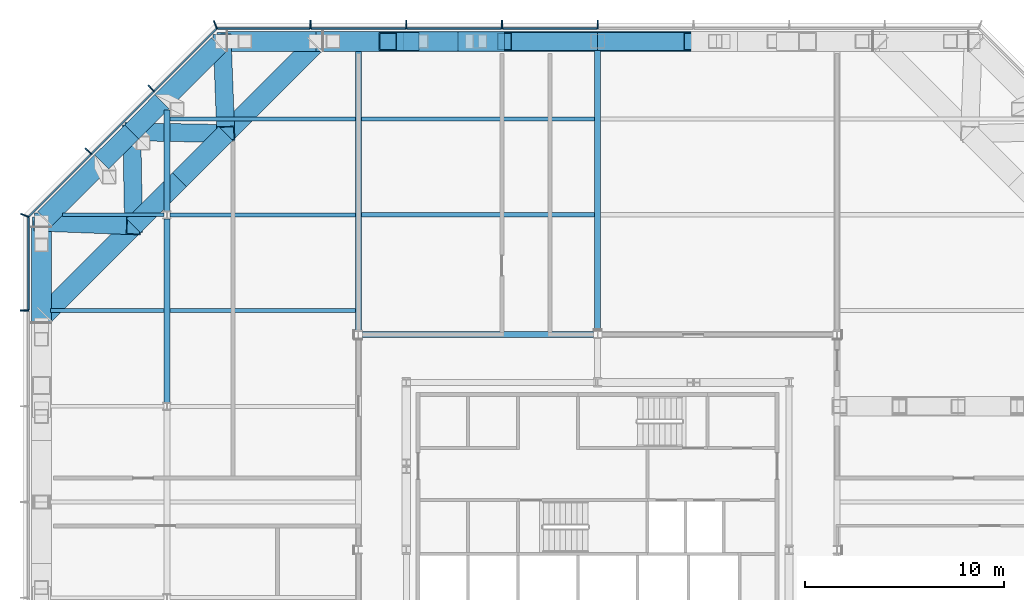
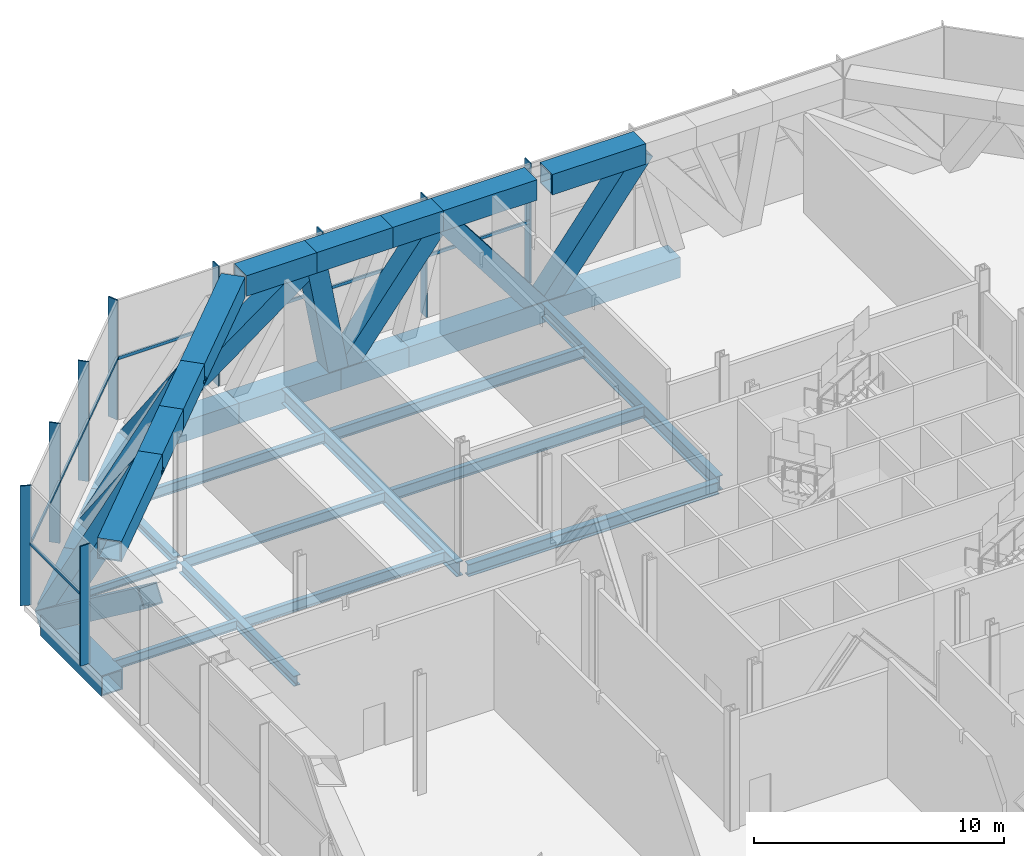
# One storey, part 7 of 17: 41 beams, 17 members, 3 elements without a shape of their own.
"""IFC4 building model written with IfcOpenShell, lengths in metres."""

from ifc_helpers import new_model, si_unit, direction, frame, origin, origin_2d, place, context, subcontext, project, spatial, rectangle, hollow_rectangle, i_section, extrude, material, material_profile, profile_set, type_object, element, aggregate, save


model = new_model("IFC4")

# Units and contexts
model_context = context("Model", 3, precision=1e-05, world=origin(), true_north=direction((0.0, 1.0)))
body_context = subcontext(model_context, "Body", "Model", "MODEL_VIEW")
ifc_project = project(units=[si_unit("LENGTHUNIT", "METRE"), si_unit("AREAUNIT", "SQUARE_METRE"), si_unit("VOLUMEUNIT", "CUBIC_METRE"), si_unit("PLANEANGLEUNIT", "RADIAN"), si_unit("MASSUNIT", "GRAM", prefix="KILO")], contexts=[model_context])

# Site, building, storey
site_placement = place(None, origin())
site = spatial("IfcSite", under=ifc_project, at=site_placement, CompositionType="ELEMENT")
building_placement = place(site_placement, origin())
building = spatial("IfcBuilding", under=site, at=building_placement, Name="Cairn Pilgrim Tower", CompositionType="ELEMENT")
storey_placement = place(building_placement, frame((0.0, 0.0, 119.39990234375)))
storey = spatial("IfcBuildingStorey", under=building, at=storey_placement, Name="L29", CompositionType="ELEMENT", Elevation=119.39990234375)

# Beams
ifc_material_1 = material(Name="Structural steel S460M", Category="steel")
ifc_material_profile_1 = material_profile(ifc_material_1, hollow_rectangle(XDim=1.0, YDim=1.0, WallThickness=0.06005859375, at=origin_2d()), Name="BOX 1000x1000x60")
ifc_profile_set_1 = profile_set([ifc_material_profile_1], Name="Structural steel S460M")
beam_type_1 = type_object("IfcBeamType", Name="BOX 1000x1000x60 CHORD", PredefinedType="USERDEFINED", material=ifc_profile_set_1)
beam_1_placement = place(storey_placement, frame((13.4755859375, 27.89990234375, -0.75), z_axis=(-1.0, 0.0, 0.0), x_axis=(0.0, -1.0, 0.0)))
element("IfcBeam", 1, at=beam_1_placement, inside=storey, type_object=beam_type_1, Name="BT29-N-BC4", ObjectType="CHORD", PredefinedType="USERDEFINED", context=body_context, shape_type="SweptSolid", body=[
    extrude(hollow_rectangle(XDim=1.0, YDim=1.0, WallThickness=0.06005859375, at=origin_2d()), origin(), (0.0, 0.0, 1.0), 6.275634765625),
])
beam_2_placement = place(storey_placement, frame((11.875732421875, 27.89990234375, 5.35009765625), z_axis=(-1.0, 0.0, 0.0), x_axis=(0.0, -1.0, 0.0)))
element("IfcBeam", 2, at=beam_2_placement, inside=storey, type_object=beam_type_1, Name="BT29-N-TC4", ObjectType="CHORD", PredefinedType="USERDEFINED", context=body_context, shape_type="SweptSolid", body=[
    extrude(hollow_rectangle(XDim=1.0, YDim=1.0, WallThickness=0.06005859375, at=origin_2d()), origin(), (0.0, 0.0, 1.0), 4.32568359375),
])
beam_3_placement = place(storey_placement, frame((7.199951171875, 27.89990234375, -0.75), z_axis=(-1.0, 0.0, 0.0), x_axis=(0.0, -1.0, 0.0)))
element("IfcBeam", 3, at=beam_3_placement, inside=storey, type_object=beam_type_1, Name="BT29-N-BC5", ObjectType="CHORD", PredefinedType="USERDEFINED", context=body_context, shape_type="SweptSolid", body=[
    extrude(hollow_rectangle(XDim=1.0, YDim=1.0, WallThickness=0.06005859375, at=origin_2d()), origin(), (0.0, 0.0, 1.0), 6.275634765625),
])
beam_4_placement = place(storey_placement, frame((6.85009765625, 27.89990234375, 5.35009765625), z_axis=(-1.0, 0.0, 0.0), x_axis=(0.0, -1.0, 0.0)))
element("IfcBeam", 4, at=beam_4_placement, inside=storey, type_object=beam_type_1, Name="BT29-N-TC5", ObjectType="CHORD", PredefinedType="USERDEFINED", context=body_context, shape_type="SweptSolid", body=[
    extrude(hollow_rectangle(XDim=1.0, YDim=1.0, WallThickness=0.06005859375, at=origin_2d()), origin(), (0.0, 0.0, 1.0), 4.32568359375),
])
beam_5_placement = place(storey_placement, frame((0.92431640625, 27.89990234375, -0.75), z_axis=(-1.0, 0.0, 0.0), x_axis=(0.0, -1.0, 0.0)))
element("IfcBeam", 5, at=beam_5_placement, inside=storey, type_object=beam_type_1, Name="BT29-N-BC6", ObjectType="CHORD", PredefinedType="USERDEFINED", context=body_context, shape_type="SweptSolid", body=[
    extrude(hollow_rectangle(XDim=1.0, YDim=1.0, WallThickness=0.06005859375, at=origin_2d()), origin(), (0.0, 0.0, 1.0), 3.137939453125),
])
beam_6_placement = place(storey_placement, frame((2.5244140625, 27.89990234375, 5.35009765625), z_axis=(-1.0, 0.0, 0.0), x_axis=(0.0, -1.0, 0.0)))
element("IfcBeam", 6, at=beam_6_placement, inside=storey, type_object=beam_type_1, Name="BT29-N-TC6", ObjectType="CHORD", PredefinedType="USERDEFINED", context=body_context, shape_type="SweptSolid", body=[
    extrude(hollow_rectangle(XDim=1.0, YDim=1.0, WallThickness=0.06005859375, at=origin_2d()), origin(), (0.0, 0.0, 1.0), 2.338134765625),
])
beam_7_placement = place(storey_placement, frame((-2.213623046875, 27.89990234375, -0.75), z_axis=(-1.0, 0.0, 0.0), x_axis=(0.0, -1.0, 0.0)))
element("IfcBeam", 7, at=beam_7_placement, inside=storey, type_object=beam_type_1, Name="BT29-N-BC7", ObjectType="CHORD", PredefinedType="USERDEFINED", context=body_context, shape_type="SweptSolid", body=[
    extrude(hollow_rectangle(XDim=1.0, YDim=1.0, WallThickness=0.06005859375, at=origin_2d()), origin(), (0.0, 0.0, 1.0), 4.706787109375),
])
beam_8_placement = place(storey_placement, frame((0.186279296875, 27.89990234375, 5.35009765625), z_axis=(-1.0, 0.0, 0.0), x_axis=(0.0, -1.0, 0.0)))
element("IfcBeam", 8, at=beam_8_placement, inside=storey, type_object=beam_type_1, Name="BT29-N-TC7", ObjectType="CHORD", PredefinedType="USERDEFINED", context=body_context, shape_type="SweptSolid", body=[
    extrude(hollow_rectangle(XDim=1.0, YDim=1.0, WallThickness=0.06005859375, at=origin_2d()), origin(), (0.0, 0.0, 1.0), 3.506591796875),
])
beam_9_placement = place(storey_placement, frame((-6.92041015625, 27.89990234375, -0.75), z_axis=(-1.0, 0.0, 0.0), x_axis=(0.0, -1.0, 0.0)))
element("IfcBeam", 9, at=beam_9_placement, inside=storey, type_object=beam_type_1, Name="BT29-N-BC8", ObjectType="CHORD", PredefinedType="USERDEFINED", context=body_context, shape_type="SweptSolid", body=[
    extrude(hollow_rectangle(XDim=1.0, YDim=1.0, WallThickness=0.06005859375, at=origin_2d()), origin(), (0.0, 0.0, 1.0), 4.44970703125),
])
beam_10_placement = place(storey_placement, frame((-3.3203125, 27.89990234375, 5.35009765625), z_axis=(-1.0, 0.0, 0.0), x_axis=(0.0, -1.0, 0.0)))
element("IfcBeam", 10, at=beam_10_placement, inside=storey, type_object=beam_type_1, Name="BT29-N-TC8", ObjectType="CHORD", PredefinedType="USERDEFINED", context=body_context, shape_type="SweptSolid", body=[
    extrude(hollow_rectangle(XDim=1.0, YDim=1.0, WallThickness=0.06005859375, at=origin_2d()), origin(), (0.0, 0.0, 1.0), 3.249755859375),
])
beam_11_placement = place(storey_placement, frame((-11.80908203125, 27.71826171875, -0.75), z_axis=(-0.707106781187, -0.707106781187, 0.0), x_axis=(0.707106781187, -0.707106781187, 0.0)))
element("IfcBeam", 11, at=beam_11_placement, inside=storey, type_object=beam_type_1, Name="BT29-NW-BC1", ObjectType="CHORD", PredefinedType="USERDEFINED", context=body_context, shape_type="SweptSolid", body=[
    extrude(hollow_rectangle(XDim=1.0, YDim=1.0, WallThickness=0.06005859375, at=origin_2d()), origin(), (0.0, 0.0, 1.0), 4.02001953125),
])
beam_12_placement = place(storey_placement, frame((-7.009033203125, 27.71826171875, 5.35009765625), z_axis=(-0.707087351173, -0.707126210667, 0.0), x_axis=(0.707126210667, -0.707087351173, 0.0)))
element("IfcBeam", 12, at=beam_12_placement, inside=storey, type_object=beam_type_1, Name="BT29-NW-TC1", ObjectType="CHORD", PredefinedType="USERDEFINED", context=body_context, shape_type="SweptSolid", body=[
    extrude(hollow_rectangle(XDim=1.0, YDim=1.0, WallThickness=0.06005859375, at=origin_2d()), origin(), (0.0, 0.0, 1.0), 6.28271484375),
])
beam_13_placement = place(storey_placement, frame((-14.651611328125, 24.875732421875, -0.75), z_axis=(-0.707049694295, -0.707163863469, 0.0), x_axis=(0.707163863469, -0.707049694295, 0.0)))
element("IfcBeam", 13, at=beam_13_placement, inside=storey, type_object=beam_type_1, Name="BT29-NW-BC2", ObjectType="CHORD", PredefinedType="USERDEFINED", context=body_context, shape_type="SweptSolid", body=[
    extrude(hollow_rectangle(XDim=1.0, YDim=1.0, WallThickness=0.06005859375, at=origin_2d()), origin(), (0.0, 0.0, 1.0), 2.138427734375),
])
beam_14_placement = place(storey_placement, frame((-11.451416015625, 23.275634765625, 5.35009765625), z_axis=(-0.707144112273, -0.707069448129, 0.0), x_axis=(0.707069448129, -0.707144112273, 0.0)))
element("IfcBeam", 14, at=beam_14_placement, inside=storey, type_object=beam_type_1, Name="BT29-NW-TC2", ObjectType="CHORD", PredefinedType="USERDEFINED", context=body_context, shape_type="SweptSolid", body=[
    extrude(hollow_rectangle(XDim=1.0, YDim=1.0, WallThickness=0.06005859375, at=origin_2d()), origin(), (0.0, 0.0, 1.0), 3.269775390625),
])
beam_15_placement = place(storey_placement, frame((-16.16357421875, 23.363525390625, -0.75), z_axis=(-0.707163863469, -0.707049694295, 0.0), x_axis=(0.707049694295, -0.707163863469, 0.0)))
element("IfcBeam", 15, at=beam_15_placement, inside=storey, type_object=beam_type_1, Name="BT29-NW-BC3", ObjectType="CHORD", PredefinedType="USERDEFINED", context=body_context, shape_type="SweptSolid", body=[
    extrude(hollow_rectangle(XDim=1.0, YDim=1.0, WallThickness=0.06005859375, at=origin_2d()), origin(), (0.0, 0.0, 1.0), 2.138427734375),
])
beam_16_placement = place(storey_placement, frame((-13.763671875, 20.963623046875, 5.35009765625), z_axis=(-0.707106781187, -0.707106781187, 0.0), x_axis=(0.707106781187, -0.707106781187, 0.0)))
element("IfcBeam", 16, at=beam_16_placement, inside=storey, type_object=beam_type_1, Name="BT29-NW-TC3", ObjectType="CHORD", PredefinedType="USERDEFINED", context=body_context, shape_type="SweptSolid", body=[
    extrude(hollow_rectangle(XDim=1.0, YDim=1.0, WallThickness=0.06005859375, at=origin_2d()), origin(), (0.0, 0.0, 1.0), 3.269775390625),
])
beam_17_placement = place(storey_placement, frame((-17.67578125, 21.8515625, -0.75), z_axis=(-0.707106781187, -0.707106781187, 0.0), x_axis=(0.707106781187, -0.707106781187, 0.0)))
element("IfcBeam", 17, at=beam_17_placement, inside=storey, type_object=beam_type_1, Name="BT29-NW-BC4", ObjectType="CHORD", PredefinedType="USERDEFINED", context=body_context, shape_type="SweptSolid", body=[
    extrude(hollow_rectangle(XDim=1.0, YDim=1.0, WallThickness=0.06005859375, at=origin_2d()), origin(), (0.0, 0.0, 1.0), 4.02001953125),
])
beam_18_placement = place(storey_placement, frame((-16.07568359375, 18.651611328125, 5.35009765625), z_axis=(-0.707106781187, -0.707106781187, 0.0), x_axis=(0.707106781187, -0.707106781187, 0.0)))
element("IfcBeam", 18, at=beam_18_placement, inside=storey, type_object=beam_type_1, Name="BT29-NW-TC4", ObjectType="CHORD", PredefinedType="USERDEFINED", context=body_context, shape_type="SweptSolid", body=[
    extrude(hollow_rectangle(XDim=1.0, YDim=1.0, WallThickness=0.06005859375, at=origin_2d()), origin(), (0.0, 0.0, 1.0), 6.28271484375),
])
beam_19_placement = place(storey_placement, frame((-20.699951171875, 18.570068359375, -0.75), z_axis=(0.0, -1.0, 0.0), x_axis=(1.0, 0.0, 0.0)))
element("IfcBeam", 19, at=beam_19_placement, inside=storey, type_object=beam_type_1, Name="BT29-W-BC1", ObjectType="CHORD", PredefinedType="USERDEFINED", context=body_context, shape_type="SweptSolid", body=[
    extrude(hollow_rectangle(XDim=1.0, YDim=1.0, WallThickness=0.06005859375, at=origin_2d()), origin(), (0.0, 0.0, 1.0), 4.88623046875),
])
ifc_material_profile_2 = material_profile(ifc_material_1, hollow_rectangle(XDim=0.89990234375, YDim=0.89990234375, WallThickness=0.050048828125, at=origin_2d()), Name="BOX 900x900x50")
ifc_profile_set_2 = profile_set([ifc_material_profile_2], Name="Structural steel S460M")
beam_type_2 = type_object("IfcBeamType", Name="BOX 900x900x50 DIAGONAL", PredefinedType="USERDEFINED", material=ifc_profile_set_2)
beam_20_placement = place(storey_placement, frame((11.875732421875, 27.89990234375, 5.35009765625), z_axis=(-0.608352851952, 0.0, -0.793666685405), x_axis=(0.0, -1.0, 0.0)))
element("IfcBeam", 20, at=beam_20_placement, inside=storey, type_object=beam_type_2, Name="BT29-N-D4", ObjectType="DIAGONAL", PredefinedType="USERDEFINED", context=body_context, shape_type="SweptSolid", body=[
    extrude(hollow_rectangle(XDim=0.89990234375, YDim=0.89990234375, WallThickness=0.050048828125, at=origin_2d()), origin(), (0.0, 0.0, 1.0), 7.68603515625),
])
beam_21_placement = place(storey_placement, frame((7.199951171875, 27.89990234375, -0.75), z_axis=(-0.608332842725, 0.0, 0.793682022262), x_axis=(0.0, -1.0, 0.0)))
element("IfcBeam", 21, at=beam_21_placement, inside=storey, type_object=beam_type_2, Name="BT29-N-D5", ObjectType="DIAGONAL", PredefinedType="USERDEFINED", context=body_context, shape_type="SweptSolid", body=[
    extrude(hollow_rectangle(XDim=0.89990234375, YDim=0.89990234375, WallThickness=0.050048828125, at=origin_2d()), origin(), (0.0, 0.0, 1.0), 7.685791015625),
])
beam_22_placement = place(storey_placement, frame((2.5244140625, 27.89990234375, 5.35009765625), z_axis=(-0.61341748705, 0.0, -0.78975881545), x_axis=(0.0, -1.0, 0.0)))
element("IfcBeam", 22, at=beam_22_placement, inside=storey, type_object=beam_type_2, Name="BT29-N-D6", ObjectType="DIAGONAL", PredefinedType="USERDEFINED", context=body_context, shape_type="SweptSolid", body=[
    extrude(hollow_rectangle(XDim=0.89990234375, YDim=0.89990234375, WallThickness=0.050048828125, at=origin_2d()), origin(), (0.0, 0.0, 1.0), 7.72412109375),
])
beam_23_placement = place(storey_placement, frame((-2.213623046875, 27.89990234375, -0.75), z_axis=(-0.178507695959, 0.0, 0.983938515601), x_axis=(0.0, -1.0, 0.0)))
element("IfcBeam", 23, at=beam_23_placement, inside=storey, type_object=beam_type_2, Name="BT29-N-D7", ObjectType="DIAGONAL", PredefinedType="USERDEFINED", context=body_context, shape_type="SweptSolid", body=[
    extrude(hollow_rectangle(XDim=0.89990234375, YDim=0.89990234375, WallThickness=0.050048828125, at=origin_2d()), origin(), (0.0, 0.0, 1.0), 6.19970703125),
])
beam_24_placement = place(storey_placement, frame((-3.3203125, 27.89990234375, 5.35009765625), z_axis=(-0.806016966993, 0.0, -0.591892430192), x_axis=(0.0, -1.0, 0.0)))
element("IfcBeam", 24, at=beam_24_placement, inside=storey, type_object=beam_type_2, Name="BT29-N-D8", ObjectType="DIAGONAL", PredefinedType="USERDEFINED", context=body_context, shape_type="SweptSolid", body=[
    extrude(hollow_rectangle(XDim=0.89990234375, YDim=0.89990234375, WallThickness=0.050048828125, at=origin_2d()), origin(), (0.0, 0.0, 1.0), 10.30615234375),
])
beam_25_placement = place(storey_placement, frame((-11.627197265625, 27.89990234375, -0.75), z_axis=(0.022957660796, -0.603945907123, 0.796694600886), x_axis=(0.999278296447, 0.037985342561, 0.0)))
element("IfcBeam", 25, at=beam_25_placement, inside=storey, type_object=beam_type_2, Name="BT29-NW-D1", ObjectType="DIAGONAL", PredefinedType="USERDEFINED", context=body_context, shape_type="SweptSolid", body=[
    extrude(hollow_rectangle(XDim=0.89990234375, YDim=0.89990234375, WallThickness=0.050048828125, at=origin_2d()), origin(), (0.0, 0.0, 1.0), 7.65673828125),
])
beam_26_placement = place(storey_placement, frame((-11.451416015625, 23.275634765625, 5.35009765625), z_axis=(-0.611281557072, 0.011401552279, -0.791331070152), x_axis=(-0.018648639741, -0.999826098997, 0.0)))
element("IfcBeam", 26, at=beam_26_placement, inside=storey, type_object=beam_type_2, Name="BT29-NW-D2", ObjectType="DIAGONAL", PredefinedType="USERDEFINED", context=body_context, shape_type="SweptSolid", body=[
    extrude(hollow_rectangle(XDim=0.89990234375, YDim=0.89990234375, WallThickness=0.050048828125, at=origin_2d()), origin(), (0.0, 0.0, 1.0), 7.708740234375),
])
beam_27_placement = place(storey_placement, frame((-16.16357421875, 23.363525390625, -0.75), z_axis=(0.011401773013, -0.611261719859, 0.791346390279), x_axis=(0.999826080981, 0.018649605656, 0.0)))
element("IfcBeam", 27, at=beam_27_placement, inside=storey, type_object=beam_type_2, Name="BT29-NW-D3", ObjectType="DIAGONAL", PredefinedType="USERDEFINED", context=body_context, shape_type="SweptSolid", body=[
    extrude(hollow_rectangle(XDim=0.89990234375, YDim=0.89990234375, WallThickness=0.050048828125, at=origin_2d()), origin(), (0.0, 0.0, 1.0), 7.70849609375),
])
beam_28_placement = place(storey_placement, frame((-16.07568359375, 18.651611328125, 5.35009765625), z_axis=(-0.603946348917, 0.022925791926, -0.796695183677), x_axis=(-0.037932661105, -0.999280297625, 0.0)))
element("IfcBeam", 28, at=beam_28_placement, inside=storey, type_object=beam_type_2, Name="BT29-NW-D4", ObjectType="DIAGONAL", PredefinedType="USERDEFINED", context=body_context, shape_type="SweptSolid", body=[
    extrude(hollow_rectangle(XDim=0.89990234375, YDim=0.89990234375, WallThickness=0.050048828125, at=origin_2d()), origin(), (0.0, 0.0, 1.0), 7.65673828125),
])
beam_29_placement = place(storey_placement, frame((-20.699951171875, 18.8271484375, -0.75), z_axis=(0.0, -0.801756074921, 0.597651400339), x_axis=(1.0, 0.0, 0.0)))
element("IfcBeam", 29, at=beam_29_placement, inside=storey, type_object=beam_type_2, Name="BT29-W-D1", ObjectType="DIAGONAL", PredefinedType="USERDEFINED", context=body_context, shape_type="SweptSolid", body=[
    extrude(hollow_rectangle(XDim=0.89990234375, YDim=0.89990234375, WallThickness=0.050048828125, at=origin_2d()), origin(), (0.0, 0.0, 1.0), 10.206787109375),
])

# Curtain wall, members
ifc_material_2 = material(Name="Aluminium alloy 6063-T6 bronze anodised with Bronze tinted laminated low-E glass 8+16+8.8", Category="aluminium")
curtain_wall_type = type_object("IfcCurtainWallType", Name="PLANT LOUVRE CURTAIN WALL", PredefinedType="NOTDEFINED", material=ifc_material_2)
curtain_wall_1_placement = place(storey_placement, origin())
curtain_wall_1 = element("IfcCurtainWall", 30, at=curtain_wall_1_placement, inside=storey, type_object=curtain_wall_type, Name="Plant Louvre Curtain Wall N", PredefinedType="NOTDEFINED")
ifc_material_3 = material(Name="Aluminium alloy 6063-T6 bronze anodised", Category="aluminium")
ifc_material_profile_3 = material_profile(ifc_material_3, rectangle(XDim=0.449951171875, YDim=0.06005859375, at=origin_2d()), Name="FIN MULLION 60x450 BRONZE")
ifc_profile_set_3 = profile_set([ifc_material_profile_3], Name="Aluminium alloy 6063-T6 bronze anodised")
member_type_1 = type_object("IfcMemberType", Name="FIN MULLION 60x450 BRONZE", PredefinedType="MULLION", material=ifc_profile_set_3)
member_1_placement = place(storey_placement, frame((7.199951171875, 28.7451171875, 0.0), z_axis=(0.0, 0.0, 1.0), x_axis=(0.0, 1.0, 0.0)))
member_1 = element("IfcMember", 31, at=member_1_placement, type_object=member_type_1, Name="Fin mullion N5", PredefinedType="MULLION", context=body_context, shape_type="SweptSolid", body=[
    extrude(rectangle(XDim=0.449951171875, YDim=0.06005859375, at=origin_2d()), origin(), (0.0, 0.0, 1.0), 5.85009765625),
])
member_2_placement = place(storey_placement, frame((2.39990234375, 28.7451171875, 0.0), z_axis=(0.0, 0.0, 1.0), x_axis=(0.0, 1.0, 0.0)))
member_2 = element("IfcMember", 32, at=member_2_placement, type_object=member_type_1, Name="Fin mullion N6", PredefinedType="MULLION", context=body_context, shape_type="SweptSolid", body=[
    extrude(rectangle(XDim=0.449951171875, YDim=0.06005859375, at=origin_2d()), origin(), (0.0, 0.0, 1.0), 5.85009765625),
])
member_3_placement = place(storey_placement, frame((-2.39990234375, 28.7451171875, 0.0), z_axis=(0.0, 0.0, 1.0), x_axis=(0.0, 1.0, 0.0)))
member_3 = element("IfcMember", 33, at=member_3_placement, type_object=member_type_1, Name="Fin mullion N7", PredefinedType="MULLION", context=body_context, shape_type="SweptSolid", body=[
    extrude(rectangle(XDim=0.449951171875, YDim=0.06005859375, at=origin_2d()), origin(), (0.0, 0.0, 1.0), 5.85009765625),
])
member_4_placement = place(storey_placement, frame((-7.199951171875, 28.7451171875, 0.0), z_axis=(0.0, 0.0, 1.0), x_axis=(0.0, 1.0, 0.0)))
member_4 = element("IfcMember", 34, at=member_4_placement, type_object=member_type_1, Name="Fin mullion N8", PredefinedType="MULLION", context=body_context, shape_type="SweptSolid", body=[
    extrude(rectangle(XDim=0.449951171875, YDim=0.06005859375, at=origin_2d()), origin(), (0.0, 0.0, 1.0), 5.85009765625),
])

curtain_wall_2_placement = place(storey_placement, origin())
curtain_wall_2 = element("IfcCurtainWall", 35, at=curtain_wall_2_placement, inside=storey, type_object=curtain_wall_type, Name="Plant Louvre Curtain Wall NW", PredefinedType="NOTDEFINED")
member_5_placement = place(storey_placement, frame((-11.97119140625, 28.730224609375, 0.0), z_axis=(0.0, 0.0, 1.0), x_axis=(-0.382683432365, 0.923879532511, 0.0)))
member_5 = element("IfcMember", 36, at=member_5_placement, type_object=member_type_1, Name="Fin mullion NW1", PredefinedType="MULLION", context=body_context, shape_type="SweptSolid", body=[
    extrude(rectangle(XDim=0.449951171875, YDim=0.06005859375, at=origin_2d()), origin(), (0.0, 0.0, 1.0), 5.85009765625),
])
member_6_placement = place(storey_placement, frame((-15.185546875, 25.53662109375, 0.0), z_axis=(0.0, 0.0, 1.0), x_axis=(-0.707106781187, 0.707106781187, 0.0)))
member_6 = element("IfcMember", 37, at=member_6_placement, type_object=member_type_1, Name="Fin mullion NW2", PredefinedType="MULLION", context=body_context, shape_type="SweptSolid", body=[
    extrude(rectangle(XDim=0.449951171875, YDim=0.06005859375, at=origin_2d()), origin(), (0.0, 0.0, 1.0), 5.85009765625),
])
member_7_placement = place(storey_placement, frame((-18.336669921875, 22.385498046875, 0.0), z_axis=(0.0, 0.0, 1.0), x_axis=(-0.707106781187, 0.707106781187, 0.0)))
member_7 = element("IfcMember", 38, at=member_7_placement, type_object=member_type_1, Name="Fin mullion NW3", PredefinedType="MULLION", context=body_context, shape_type="SweptSolid", body=[
    extrude(rectangle(XDim=0.449951171875, YDim=0.06005859375, at=origin_2d()), origin(), (0.0, 0.0, 1.0), 5.85009765625),
])

curtain_wall_3_placement = place(storey_placement, origin())
curtain_wall_3 = element("IfcCurtainWall", 39, at=curtain_wall_3_placement, inside=storey, type_object=curtain_wall_type, Name="Plant Louvre Curtain Wall W", PredefinedType="NOTDEFINED")
member_8_placement = place(storey_placement, frame((-21.5302734375, 19.171142578125, 0.0), z_axis=(0.0, 0.0, 1.0), x_axis=(-0.923879532511, 0.382683432365, 0.0)))
member_8 = element("IfcMember", 40, at=member_8_placement, type_object=member_type_1, Name="Fin mullion W1", PredefinedType="MULLION", context=body_context, shape_type="SweptSolid", body=[
    extrude(rectangle(XDim=0.449951171875, YDim=0.06005859375, at=origin_2d()), origin(), (0.0, 0.0, 1.0), 5.85009765625),
])
member_9_placement = place(storey_placement, frame((-21.544921875, 14.39990234375, 0.0), z_axis=(0.0, 0.0, 1.0), x_axis=(-1.0, 0.0, 0.0)))
member_9 = element("IfcMember", 41, at=member_9_placement, type_object=member_type_1, Name="Fin mullion W2", PredefinedType="MULLION", context=body_context, shape_type="SweptSolid", body=[
    extrude(rectangle(XDim=0.449951171875, YDim=0.06005859375, at=origin_2d()), origin(), (0.0, 0.0, 1.0), 5.85009765625),
])

# Beams
ifc_material_4 = material(Name="Structural steel S355J2", Category="steel")
ifc_material_profile_4 = material_profile(ifc_material_4, i_section(OverallWidth=0.300048828125, OverallDepth=0.39990234375, WebThickness=0.013427734375, FlangeThickness=0.02392578125, FilletRadius=0.027099609375, at=origin_2d()), Name="HEB 400")
ifc_profile_set_4 = profile_set([ifc_material_profile_4], Name="Structural steel S355J2")
beam_type_3 = type_object("IfcBeamType", Name="HEB 400 GIRDER", PredefinedType="BEAM", material=ifc_profile_set_4)
beam_30_placement = place(storey_placement, frame((-14.39990234375, 19.3994140625, -0.449951171875), z_axis=(0.0, 1.0, 0.0), x_axis=(-1.0, 0.0, 0.0)))
element("IfcBeam", 42, at=beam_30_placement, inside=storey, type_object=beam_type_3, Name="PG1-5", PredefinedType="BEAM", context=body_context, shape_type="SweptSolid", body=[
    extrude(i_section(OverallWidth=0.300048828125, OverallDepth=0.39990234375, WebThickness=0.013427734375, FlangeThickness=0.02392578125, FilletRadius=0.027099609375, at=origin_2d()), origin(), (0.0, 0.0, 1.0), 5.05078125),
])
ifc_material_profile_5 = material_profile(ifc_material_4, i_section(OverallWidth=0.300048828125, OverallDepth=0.5, WebThickness=0.014404296875, FlangeThickness=0.028076171875, FilletRadius=0.027099609375, at=origin_2d()), Name="HEB 500")
ifc_profile_set_5 = profile_set([ifc_material_profile_5], Name="Structural steel S355J2")
beam_type_4 = type_object("IfcBeamType", Name="HEB 500 GIRDER", PredefinedType="BEAM", material=ifc_profile_set_5)
beam_31_placement = place(storey_placement, frame((-14.39990234375, 9.799560546875, -0.5), z_axis=(0.0, 1.0, 0.0), x_axis=(-1.0, 0.0, 0.0)))
element("IfcBeam", 43, at=beam_31_placement, inside=storey, type_object=beam_type_4, Name="PG1-4", PredefinedType="BEAM", context=body_context, shape_type="SweptSolid", body=[
    extrude(i_section(OverallWidth=0.300048828125, OverallDepth=0.5, WebThickness=0.014404296875, FlangeThickness=0.028076171875, FilletRadius=0.027099609375, at=origin_2d()), origin(), (0.0, 0.0, 1.0), 9.200927734375),
])
ifc_material_profile_6 = material_profile(ifc_material_4, i_section(OverallWidth=0.300048828125, OverallDepth=0.60009765625, WebThickness=0.015380859375, FlangeThickness=0.030029296875, FilletRadius=0.027099609375, at=origin_2d()), Name="HEB 600")
ifc_profile_set_6 = profile_set([ifc_material_profile_6], Name="Structural steel S355J2")
beam_type_5 = type_object("IfcBeamType", Name="HEB 600 INNER GIRDER", PredefinedType="BEAM", material=ifc_profile_set_6)
beam_32_placement = place(storey_placement, frame((-4.595458984375, 13.199951171875, -0.5498046875), z_axis=(1.0, 0.0, 0.0), x_axis=(0.0, 1.0, 0.0)))
element("IfcBeam", 44, at=beam_32_placement, inside=storey, type_object=beam_type_5, Name="IG2-1", PredefinedType="BEAM", context=body_context, shape_type="SweptSolid", body=[
    extrude(i_section(OverallWidth=0.300048828125, OverallDepth=0.60009765625, WebThickness=0.015380859375, FlangeThickness=0.030029296875, FilletRadius=0.027099609375, at=origin_2d()), origin(), (0.0, 0.0, 1.0), 11.591064453125),
])
ifc_material_profile_7 = material_profile(ifc_material_4, i_section(OverallWidth=0.300048828125, OverallDepth=0.699951171875, WebThickness=0.01708984375, FlangeThickness=0.031982421875, FilletRadius=0.027099609375, at=origin_2d()), Name="HEB 700")
ifc_profile_set_7 = profile_set([ifc_material_profile_7], Name="Structural steel S355J2")
beam_type_6 = type_object("IfcBeamType", Name="HEB 700 GIRDER", PredefinedType="BEAM", material=ifc_profile_set_7)
for number, where, z_axis, x_axis, name in (
    (45, (-4.800048828125, 13.404541015625, -0.599853515625), (0.0, 1.0, 0.0), (-1.0, 0.0, 0.0), "PG2-4"),
    (46, (7.199951171875, 13.404541015625, -0.599853515625), (0.0, 1.0, 0.0), (-1.0, 0.0, 0.0), "PG3-2"),
):
    element("IfcBeam", number, at=place(storey_placement, frame(where, z_axis=z_axis, x_axis=x_axis)), inside=storey, type_object=beam_type_6, Name=name, PredefinedType="BEAM", context=body_context, shape_type="SweptSolid", body=[
        extrude(i_section(OverallWidth=0.300048828125, OverallDepth=0.699951171875, WebThickness=0.01708984375, FlangeThickness=0.031982421875, FilletRadius=0.027099609375, at=origin_2d()), origin(), (0.0, 0.0, 1.0), 14.025390625),
    ])
ifc_material_profile_8 = material_profile(ifc_material_4, i_section(OverallWidth=0.169921875, OverallDepth=0.360107421875, WebThickness=0.008056640625, FlangeThickness=0.0126953125, FilletRadius=0.01806640625, at=origin_2d()), Name="IPE 360")
ifc_profile_set_8 = profile_set([ifc_material_profile_8], Name="Structural steel S355J2")
beam_type_7 = type_object("IfcBeamType", Name="IPE 360 SECONDARY BEAM", PredefinedType="JOIST", material=ifc_profile_set_8)
beam_33_placement = place(storey_placement, frame((-19.650146484375, 19.199951171875, -0.429931640625), z_axis=(1.0, 0.0, 0.0), x_axis=(0.0, 1.0, 0.0)))
element("IfcBeam", 47, at=beam_33_placement, inside=storey, type_object=beam_type_7, Name="SB8-1", PredefinedType="JOIST", context=body_context, shape_type="SweptSolid", body=[
    extrude(i_section(OverallWidth=0.169921875, OverallDepth=0.360107421875, WebThickness=0.008056640625, FlangeThickness=0.0126953125, FilletRadius=0.01806640625, at=origin_2d()), origin(), (0.0, 0.0, 1.0), 5.10009765625),
])
ifc_material_profile_9 = material_profile(ifc_material_4, i_section(OverallWidth=0.18994140625, OverallDepth=0.449951171875, WebThickness=0.009521484375, FlangeThickness=0.0146484375, FilletRadius=0.02099609375, at=origin_2d()), Name="IPE 450")
ifc_profile_set_9 = profile_set([ifc_material_profile_9], Name="Structural steel S355J2")
beam_type_8 = type_object("IfcBeamType", Name="IPE 450 SECONDARY BEAM", PredefinedType="JOIST", material=ifc_profile_set_9)
beam_34_placement = place(storey_placement, frame((-20.22998046875, 14.39990234375, -0.474853515625), z_axis=(1.0, 0.0, 0.0), x_axis=(0.0, 1.0, 0.0)))
element("IfcBeam", 48, at=beam_34_placement, inside=storey, type_object=beam_type_8, Name="SB7-1", PredefinedType="JOIST", context=body_context, shape_type="SweptSolid", body=[
    extrude(i_section(OverallWidth=0.18994140625, OverallDepth=0.449951171875, WebThickness=0.009521484375, FlangeThickness=0.0146484375, FilletRadius=0.02099609375, at=origin_2d()), origin(), (0.0, 0.0, 1.0), 5.679931640625),
])
ifc_material_profile_10 = material_profile(ifc_material_4, i_section(OverallWidth=0.199951171875, OverallDepth=0.5, WebThickness=0.01025390625, FlangeThickness=0.01611328125, FilletRadius=0.02099609375, at=origin_2d()), Name="IPE 500")
ifc_profile_set_10 = profile_set([ifc_material_profile_10], Name="Structural steel S355J2")
beam_type_9 = type_object("IfcBeamType", Name="IPE 500 SECONDARY BEAM", PredefinedType="JOIST", material=ifc_profile_set_10)
for number, where, z_axis, x_axis, name in (
    (49, (-14.25, 14.39990234375, -0.5), (1.0, 0.0, 0.0), (0.0, 1.0, 0.0), "SB7-2"),
    (50, (-14.25, 19.199951171875, -0.5), (1.0, 0.0, 0.0), (0.0, 1.0, 0.0), "SB8-2"),
    (51, (-14.25, 24.0, -0.5), (1.0, 0.0, 0.0), (0.0, 1.0, 0.0), "SB9-1"),
):
    element("IfcBeam", number, at=place(storey_placement, frame(where, z_axis=z_axis, x_axis=x_axis)), inside=storey, type_object=beam_type_9, Name=name, PredefinedType="JOIST", context=body_context, shape_type="SweptSolid", body=[
        extrude(i_section(OverallWidth=0.199951171875, OverallDepth=0.5, WebThickness=0.01025390625, FlangeThickness=0.01611328125, FilletRadius=0.02099609375, at=origin_2d()), origin(), (0.0, 0.0, 1.0), 9.300048828125),
    ])
ifc_material_profile_11 = material_profile(ifc_material_4, i_section(OverallWidth=0.2099609375, OverallDepth=0.550048828125, WebThickness=0.010986328125, FlangeThickness=0.01708984375, FilletRadius=0.02392578125, at=origin_2d()), Name="IPE 550")
ifc_profile_set_11 = profile_set([ifc_material_profile_11], Name="Structural steel S355J2")
beam_type_10 = type_object("IfcBeamType", Name="IPE 550 SECONDARY BEAM", PredefinedType="JOIST", material=ifc_profile_set_11)
for number, where, z_axis, x_axis, name in (
    (52, (-4.64990234375, 19.199951171875, -0.52490234375), (1.0, 0.0, 0.0), (0.0, 1.0, 0.0), "SB8-3"),
    (53, (-4.64990234375, 24.0, -0.52490234375), (1.0, 0.0, 0.0), (0.0, 1.0, 0.0), "SB9-2"),
):
    element("IfcBeam", number, at=place(storey_placement, frame(where, z_axis=z_axis, x_axis=x_axis)), inside=storey, type_object=beam_type_10, Name=name, PredefinedType="JOIST", context=body_context, shape_type="SweptSolid", body=[
        extrude(i_section(OverallWidth=0.2099609375, OverallDepth=0.550048828125, WebThickness=0.010986328125, FlangeThickness=0.01708984375, FilletRadius=0.02392578125, at=origin_2d()), origin(), (0.0, 0.0, 1.0), 11.699951171875),
    ])

# Member
ifc_material_profile_12 = material_profile(ifc_material_3, rectangle(XDim=0.080078125, YDim=0.14990234375, at=origin_2d()), Name="TRANSOM 80x150 BRONZE")
ifc_profile_set_12 = profile_set([ifc_material_profile_12], Name="Aluminium alloy 6063-T6 bronze anodised")
member_type_2 = type_object("IfcMemberType", Name="TRANSOM 80x150 BRONZE", PredefinedType="USERDEFINED", material=ifc_profile_set_12)
member_10_placement = place(storey_placement, frame((7.169921875, 28.550048828125, 3.0), z_axis=(-1.0, 0.0, 0.0), x_axis=(0.0, -1.0, 0.0)))
member_10 = element("IfcMember", 54, at=member_10_placement, type_object=member_type_2, Name="Transom N5", ObjectType="TRANSOM", PredefinedType="USERDEFINED", context=body_context, shape_type="SweptSolid", body=[
    extrude(rectangle(XDim=0.080078125, YDim=0.14990234375, at=origin_2d()), origin(), (0.0, 0.0, 1.0), 4.739990234375),
])

member_11_placement = place(storey_placement, frame((2.3701171875, 28.550048828125, 3.0), z_axis=(-1.0, 0.0, 0.0), x_axis=(0.0, -1.0, 0.0)))
member_11 = element("IfcMember", 55, at=member_11_placement, type_object=member_type_2, Name="Transom N6", ObjectType="TRANSOM", PredefinedType="USERDEFINED", context=body_context, shape_type="SweptSolid", body=[
    extrude(rectangle(XDim=0.080078125, YDim=0.14990234375, at=origin_2d()), origin(), (0.0, 0.0, 1.0), 4.740234375),
])

member_12_placement = place(storey_placement, frame((-2.429931640625, 28.550048828125, 3.0), z_axis=(-1.0, 0.0, 0.0), x_axis=(0.0, -1.0, 0.0)))
member_12 = element("IfcMember", 56, at=member_12_placement, type_object=member_type_2, Name="Transom N7", ObjectType="TRANSOM", PredefinedType="USERDEFINED", context=body_context, shape_type="SweptSolid", body=[
    extrude(rectangle(XDim=0.080078125, YDim=0.14990234375, at=origin_2d()), origin(), (0.0, 0.0, 1.0), 4.739990234375),
])

member_13_placement = place(storey_placement, frame((-7.22998046875, 28.550048828125, 3.0), z_axis=(-1.0, 0.0, 0.0), x_axis=(0.0, -1.0, 0.0)))
member_13 = element("IfcMember", 57, at=member_13_placement, type_object=member_type_2, Name="Transom N8", ObjectType="TRANSOM", PredefinedType="USERDEFINED", context=body_context, shape_type="SweptSolid", body=[
    extrude(rectangle(XDim=0.080078125, YDim=0.14990234375, at=origin_2d()), origin(), (0.0, 0.0, 1.0), 4.62646484375),
])

aggregate(curtain_wall_1, [member_1, member_2, member_3, member_4, member_10, member_11, member_12, member_13])

member_14_placement = place(storey_placement, frame((-11.9248046875, 28.521728515625, 3.0), z_axis=(-0.70707895165, -0.707134609628, 0.0), x_axis=(0.707134609628, -0.70707895165, 0.0)))
member_14 = element("IfcMember", 58, at=member_14_placement, type_object=member_type_2, Name="Transom NW1", ObjectType="TRANSOM", PredefinedType="USERDEFINED", context=body_context, shape_type="SweptSolid", body=[
    extrude(rectangle(XDim=0.080078125, YDim=0.14990234375, at=origin_2d()), origin(), (0.0, 0.0, 1.0), 4.386474609375),
])

member_15_placement = place(storey_placement, frame((-15.06884765625, 25.377685546875, 3.0), z_axis=(-0.707079015032, -0.707134546251, 0.0), x_axis=(0.707134546251, -0.707079015032, 0.0)))
member_15 = element("IfcMember", 59, at=member_15_placement, type_object=member_type_2, Name="Transom NW2", ObjectType="TRANSOM", PredefinedType="USERDEFINED", context=body_context, shape_type="SweptSolid", body=[
    extrude(rectangle(XDim=0.080078125, YDim=0.14990234375, at=origin_2d()), origin(), (0.0, 0.0, 1.0), 4.396484375),
])

member_16_placement = place(storey_placement, frame((-18.219970703125, 22.226318359375, 3.0), z_axis=(-0.707134609628, -0.70707895165, 0.0), x_axis=(0.70707895165, -0.707134609628, 0.0)))
member_16 = element("IfcMember", 60, at=member_16_placement, type_object=member_type_2, Name="Transom NW3", ObjectType="TRANSOM", PredefinedType="USERDEFINED", context=body_context, shape_type="SweptSolid", body=[
    extrude(rectangle(XDim=0.080078125, YDim=0.14990234375, at=origin_2d()), origin(), (0.0, 0.0, 1.0), 4.386474609375),
])

aggregate(curtain_wall_2, [member_5, member_6, member_7, member_14, member_15, member_16])

member_17_placement = place(storey_placement, frame((-21.35009765625, 19.056396484375, 3.0), z_axis=(0.0, -1.0, 0.0), x_axis=(1.0, 0.0, 0.0)))
member_17 = element("IfcMember", 61, at=member_17_placement, type_object=member_type_2, Name="Transom W1", ObjectType="TRANSOM", PredefinedType="USERDEFINED", context=body_context, shape_type="SweptSolid", body=[
    extrude(rectangle(XDim=0.080078125, YDim=0.14990234375, at=origin_2d()), origin(), (0.0, 0.0, 1.0), 4.62646484375),
])

aggregate(curtain_wall_3, [member_8, member_9, member_17])

save(model, "model.ifc")
